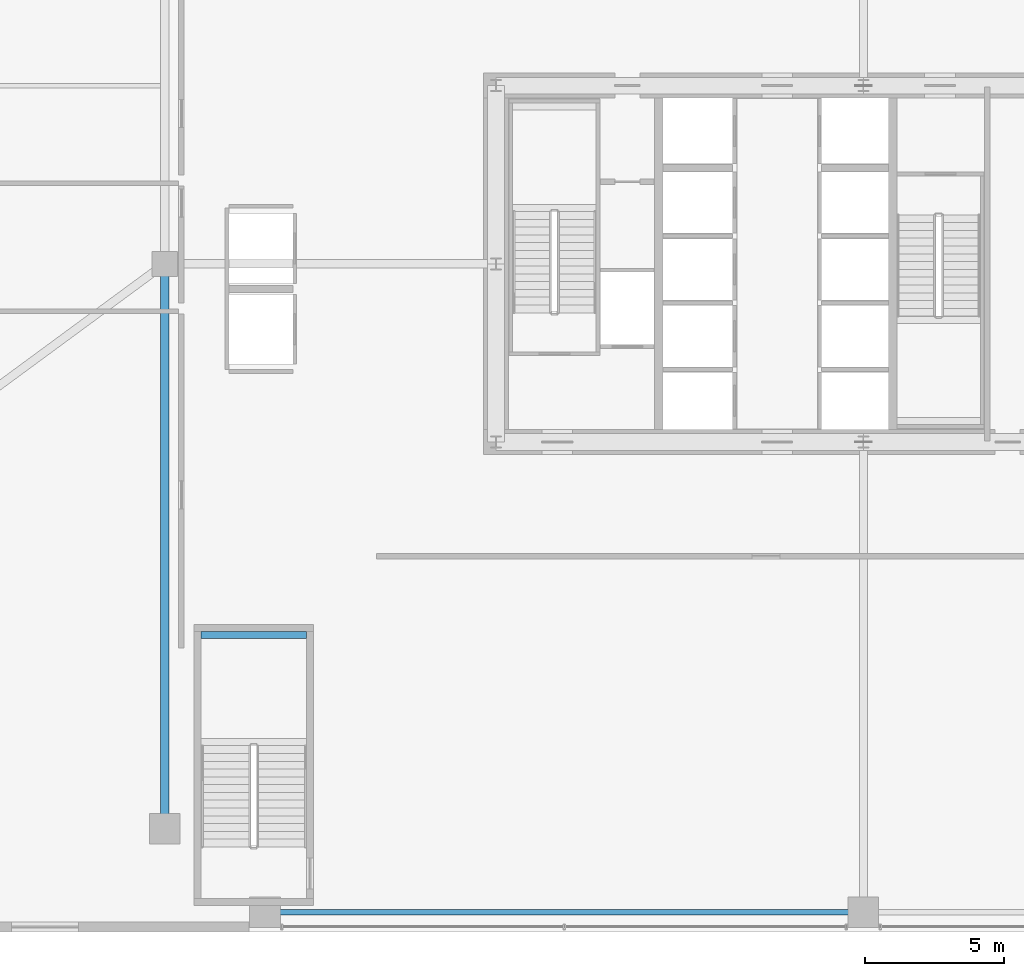
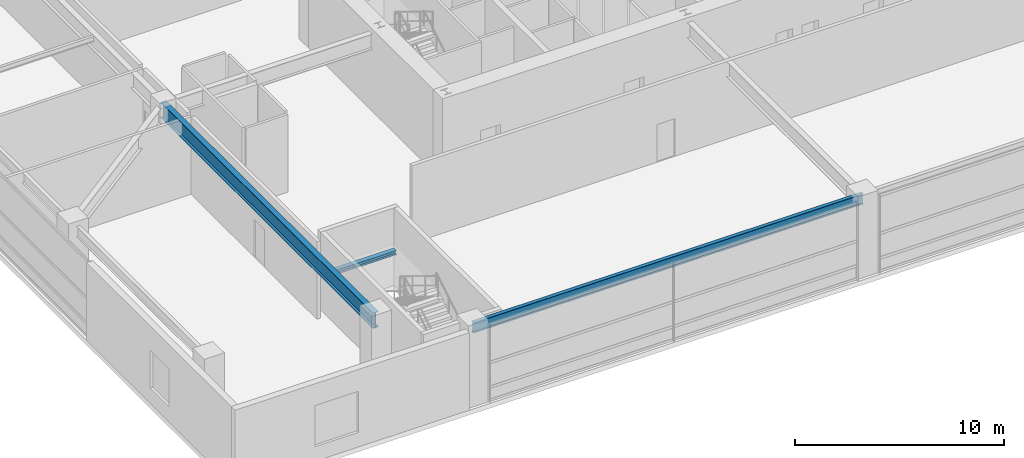
# One storey, part 6 of 38: 3 beams.
"""IFC4 building model written with IfcOpenShell, lengths in metres."""

from ifc_helpers import new_model, si_unit, direction, frame, origin, origin_2d, place, context, subcontext, project, spatial, i_section, extrude, source, transform, mapped, material, material_profile, profile_set, type_object, element, save


model = new_model("IFC4")

# Units and contexts
model_context = context("Model", 3, precision=1e-05, world=origin(), true_north=direction((0.0, 1.0)))
body_context = subcontext(model_context, "Body", "Model", "MODEL_VIEW")
ifc_project = project(units=[si_unit("LENGTHUNIT", "METRE"), si_unit("AREAUNIT", "SQUARE_METRE"), si_unit("VOLUMEUNIT", "CUBIC_METRE"), si_unit("PLANEANGLEUNIT", "RADIAN"), si_unit("MASSUNIT", "GRAM", prefix="KILO"), si_unit("THERMODYNAMICTEMPERATUREUNIT", "KELVIN"), si_unit("POWERUNIT", "WATT")], contexts=[model_context])

# Site, building, storey
site_placement = place(None, origin())
site = spatial("IfcSite", under=ifc_project, at=site_placement, CompositionType="ELEMENT")
building_placement = place(site_placement, origin())
building = spatial("IfcBuilding", under=site, at=building_placement, Name="Yuzanri Waterfront Tower", CompositionType="ELEMENT")
storey_placement = place(building_placement, frame((0.0, 0.0, 10.199951171875)))
storey = spatial("IfcBuildingStorey", under=building, at=storey_placement, Name="L03", CompositionType="ELEMENT", Elevation=10.199951171875)

# Beams
ifc_material_1 = material(Name="Steel Q355B", Category="steel")
ifc_material_profile_1 = material_profile(ifc_material_1, i_section(OverallWidth=0.300048828125, OverallDepth=0.89990234375, WebThickness=0.01611328125, FlangeThickness=0.028076171875, at=origin_2d()), Name="HN 900x300x16x28")
ifc_profile_set_1 = profile_set([ifc_material_profile_1], Name="Steel Q355B")
beam_type_1 = type_object("IfcBeamType", Name="Primary Podium Girder Q355B HN 900x300", PredefinedType="BEAM", material=ifc_profile_set_1)
shared_shape_1 = source(origin(), body_context, "Body", "SweptSolid", [
    extrude(i_section(OverallWidth=0.300048828125, OverallDepth=0.89990234375, WebThickness=0.01611328125, FlangeThickness=0.028076171875, at=origin_2d()), origin(), (0.0, 0.0, 1.0), 20.300048828125),
])
beam_1_placement = place(storey_placement, frame((11.89990234375, 5.5, 4.070068359375), z_axis=(0.0, 1.0, 0.0), x_axis=(-1.0, 0.0, 0.0)))
element("IfcBeam", 1, at=beam_1_placement, inside=storey, type_object=beam_type_1, Name="L03 Podium Spine Girder S", PredefinedType="BEAM", context=body_context, shape_type="MappedRepresentation", body=[
    mapped(shared_shape_1, transform((0.0, 0.0, 0.0), scale=1.0)),
])
ifc_material_2 = material(Name="Steel Q355B", Category="steel")
ifc_material_profile_2 = material_profile(ifc_material_2, i_section(OverallWidth=0.199951171875, OverallDepth=0.60009765625, WebThickness=0.010986328125, FlangeThickness=0.01708984375, at=origin_2d()), Name="HN 600x200x11x17")
ifc_profile_set_2 = profile_set([ifc_material_profile_2], Name="Steel Q355B")
beam_type_2 = type_object("IfcBeamType", Name="Perimeter Spandrel Q355B HN 600x200", PredefinedType="SPANDREL", material=ifc_profile_set_2)
shared_shape_2 = source(origin(), body_context, "Body", "SweptSolid", [
    extrude(i_section(OverallWidth=0.199951171875, OverallDepth=0.60009765625, WebThickness=0.010986328125, FlangeThickness=0.01708984375, at=origin_2d()), origin(), (0.0, 0.0, 1.0), 21.5),
])
beam_2_placement = place(storey_placement, frame((15.5, 2.5, 4.219970703125), z_axis=(1.0, 0.0, 0.0), x_axis=(0.0, 1.0, 0.0)))
element("IfcBeam", 2, at=beam_2_placement, inside=storey, type_object=beam_type_2, Name="L03 South Spandrel 1", PredefinedType="SPANDREL", context=body_context, shape_type="MappedRepresentation", body=[
    mapped(shared_shape_2, transform((0.0, 0.0, 0.0), scale=1.0)),
])
ifc_material_3 = material(Name="Steel Q355B", Category="steel")
ifc_material_profile_3 = material_profile(ifc_material_3, i_section(OverallWidth=0.25, OverallDepth=0.25, WebThickness=0.009033203125, FlangeThickness=0.013916015625, at=origin_2d()), Name="HW 250x250x9x14")
ifc_profile_set_3 = profile_set([ifc_material_profile_3], Name="Steel Q355B")
beam_type_3 = type_object("IfcBeamType", Name="Stair Landing Support Beam Q355B HW 250x250", PredefinedType="BEAM", material=ifc_profile_set_3)
shared_shape_3 = source(origin(), body_context, "Body", "SweptSolid", [
    extrude(i_section(OverallWidth=0.25, OverallDepth=0.25, WebThickness=0.009033203125, FlangeThickness=0.013916015625, at=origin_2d()), origin(), (0.0, 0.0, 1.0), 3.800048828125),
])
beam_3_placement = place(storey_placement, frame((13.199951171875, 12.469970703125, 2.074951171875), z_axis=(1.0, 0.0, 0.0), x_axis=(0.0, 1.0, 0.0)))
element("IfcBeam", 3, at=beam_3_placement, inside=storey, type_object=beam_type_3, Name="L03 Stair Landing Support Beam PST-01-L03-L1-2", PredefinedType="BEAM", context=body_context, shape_type="MappedRepresentation", body=[
    mapped(shared_shape_3, transform((0.0, 0.0, 0.0), scale=1.0)),
])

save(model, "model.ifc")
